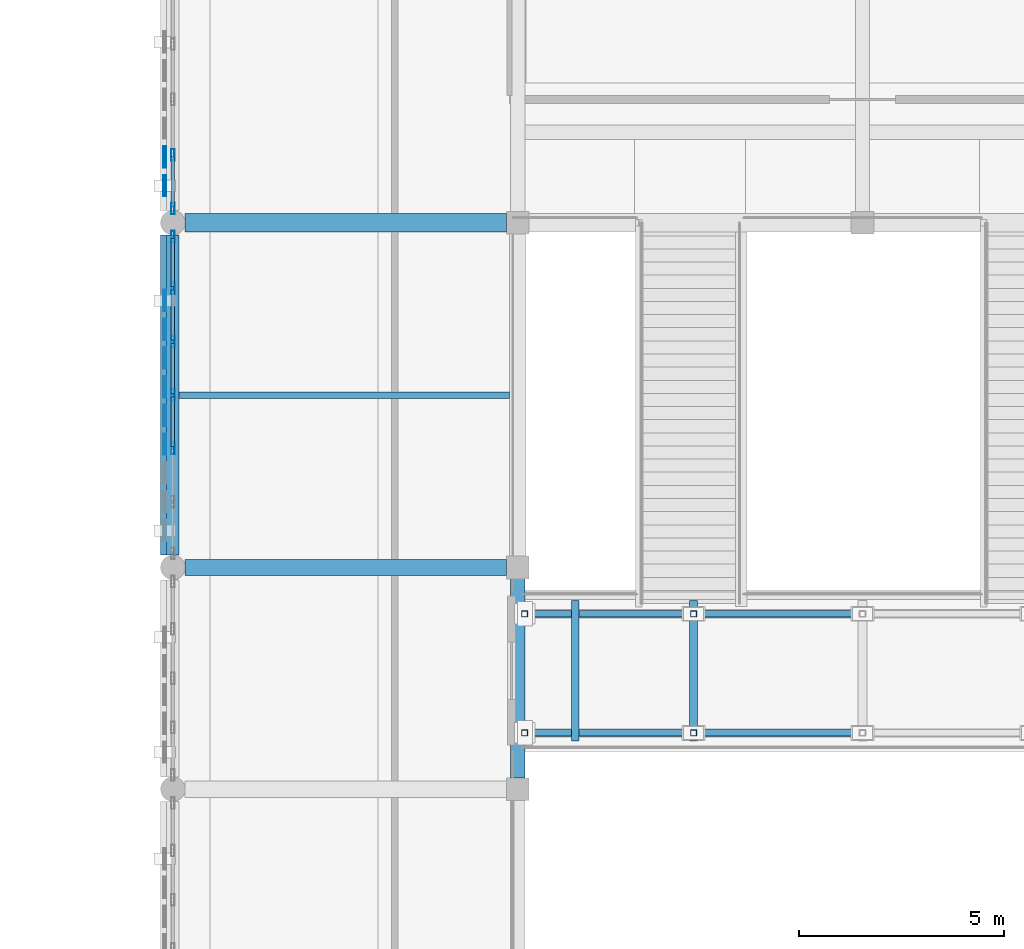
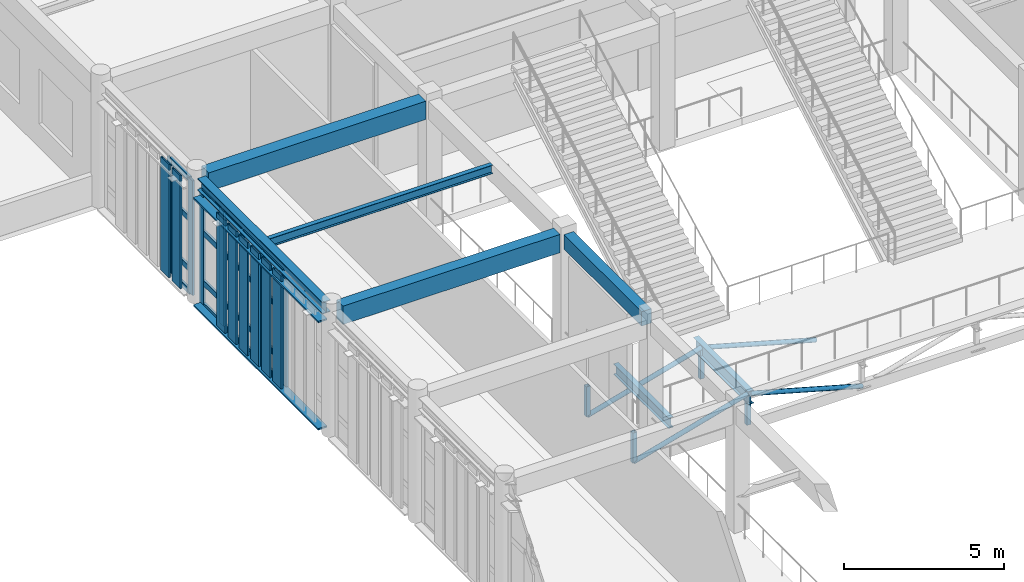
# One storey, part 32 of 93: 45 members, 7 beams, 2 elements without a shape of their own.
"""IFC4 building model written with IfcOpenShell, lengths in metres."""

from ifc_helpers import new_model, si_unit, direction, frame, origin, origin_2d, place, context, subcontext, project, spatial, rectangle, hollow_rectangle, hollow_circle, i_section, extrude, material, layer, layer_set, material_profile, profile_set, type_object, element, aggregate, save


model = new_model("IFC4")

# Units and contexts
model_context = context("Model", 3, precision=1e-05, world=origin(), true_north=direction((0.0, 1.0)))
body_context = subcontext(model_context, "Body", "Model", "MODEL_VIEW")
ifc_project = project(units=[si_unit("LENGTHUNIT", "METRE"), si_unit("AREAUNIT", "SQUARE_METRE"), si_unit("VOLUMEUNIT", "CUBIC_METRE"), si_unit("PLANEANGLEUNIT", "RADIAN"), si_unit("MASSUNIT", "GRAM", prefix="KILO")], contexts=[model_context])

# Site, building, storey
site_placement = place(None, origin())
site = spatial("IfcSite", under=ifc_project, at=site_placement, CompositionType="ELEMENT")
building_placement = place(site_placement, origin())
building = spatial("IfcBuilding", under=site, at=building_placement, Name="Krzemoval Escarpment Law Courts", CompositionType="ELEMENT")
storey_placement = place(building_placement, frame((0.0, 0.0, 10.199951171875)))
storey = spatial("IfcBuildingStorey", under=building, at=storey_placement, Name="L02", CompositionType="ELEMENT", Elevation=10.199951171875)

# Beams
ifc_material_1 = material(Name="Concrete C40/50", Category="concrete")
ifc_material_profile_1 = material_profile(ifc_material_1, rectangle(XDim=0.35009765625, YDim=0.550048828125, at=origin_2d()), Name="RCB 350x550")
ifc_profile_set_1 = profile_set([ifc_material_profile_1], Name="Concrete C40/50")
beam_type_1 = type_object("IfcBeamType", Name="BM-RC-350x550", PredefinedType="BEAM", material=ifc_profile_set_1)
beam_1_placement = place(storey_placement, frame((16.800048828125, 80.074951171875, 4.545166015625), z_axis=(0.0, 1.0, 0.0), x_axis=(-1.0, 0.0, 0.0)))
element("IfcBeam", 1, at=beam_1_placement, inside=storey, type_object=beam_type_1, Name="Beam FG-L02-1877", PredefinedType="BEAM", context=body_context, shape_type="SweptSolid", body=[
    extrude(rectangle(XDim=0.35009765625, YDim=0.550048828125, at=origin_2d()), origin(), (0.0, 0.0, 1.0), 4.85009765625),
])
ifc_material_2 = material(Name="Concrete C40/50", Category="concrete")
ifc_material_profile_2 = material_profile(ifc_material_2, rectangle(XDim=0.39990234375, YDim=0.699951171875, at=origin_2d()), Name="RCB 400x700")
ifc_profile_set_2 = profile_set([ifc_material_profile_2], Name="Concrete C40/50")
beam_type_2 = type_object("IfcBeamType", Name="BM-RC-400x700", PredefinedType="BEAM", material=ifc_profile_set_2)
beam_2_placement = place(storey_placement, frame((8.699951171875, 85.199951171875, 4.469970703125), z_axis=(1.0, 0.0, 0.0), x_axis=(0.0, 1.0, 0.0)))
element("IfcBeam", 2, at=beam_2_placement, inside=storey, type_object=beam_type_2, Name="Beam FG-L02-1804", PredefinedType="BEAM", context=body_context, shape_type="SweptSolid", body=[
    extrude(rectangle(XDim=0.39990234375, YDim=0.699951171875, at=origin_2d()), origin(), (0.0, 0.0, 1.0), 7.824951171875),
])
ifc_material_3 = material(Name="Concrete C40/50", Category="concrete")
ifc_material_profile_3 = material_profile(ifc_material_3, rectangle(XDim=0.449951171875, YDim=0.699951171875, at=origin_2d()), Name="RCB 450x700")
ifc_profile_set_3 = profile_set([ifc_material_profile_3], Name="Concrete C40/50")
beam_type_3 = type_object("IfcBeamType", Name="BM-RC-450x700", PredefinedType="BEAM", material=ifc_profile_set_3)
beam_3_placement = place(storey_placement, frame((8.699951171875, 93.60009765625, 4.469970703125), z_axis=(1.0, 0.0, 0.0), x_axis=(0.0, 1.0, 0.0)))
element("IfcBeam", 3, at=beam_3_placement, inside=storey, type_object=beam_type_3, Name="Beam FG-L02-1808", PredefinedType="BEAM", context=body_context, shape_type="SweptSolid", body=[
    extrude(rectangle(XDim=0.449951171875, YDim=0.699951171875, at=origin_2d()), origin(), (0.0, 0.0, 1.0), 7.824951171875),
])
ifc_material_4 = material(Name="Steel S355", Category="steel")
ifc_material_profile_4 = material_profile(ifc_material_4, i_section(OverallWidth=0.179931640625, OverallDepth=0.39990234375, WebThickness=0.008544921875, FlangeThickness=0.013427734375, at=origin_2d()), Name="IPE 400")
ifc_profile_set_4 = profile_set([ifc_material_profile_4], Name="Steel S355")
beam_type_4 = type_object("IfcBeamType", Name="BM-S355-IPE400", PredefinedType="BEAM", material=ifc_profile_set_4)
beam_4_placement = place(storey_placement, frame((18.199951171875, 80.969970703125, -0.5), z_axis=(0.0, 1.0, 0.0), x_axis=(-1.0, 0.0, 0.0)))
element("IfcBeam", 4, at=beam_4_placement, inside=storey, type_object=beam_type_4, Name="Bridge Cross Beam BBMN-L02-01", PredefinedType="BEAM", context=body_context, shape_type="SweptSolid", body=[
    extrude(i_section(OverallWidth=0.179931640625, OverallDepth=0.39990234375, WebThickness=0.008544921875, FlangeThickness=0.013427734375, at=origin_2d()), origin(), (0.0, 0.0, 1.0), 3.429931640625),
])
ifc_material_5 = material(Name="Steel S355", Category="steel")
ifc_material_profile_5 = material_profile(ifc_material_5, i_section(OverallWidth=0.199951171875, OverallDepth=0.5, WebThickness=0.01025390625, FlangeThickness=0.01611328125, at=origin_2d()), Name="IPE 500")
ifc_profile_set_5 = profile_set([ifc_material_profile_5], Name="Steel S355")
beam_type_5 = type_object("IfcBeamType", Name="BM-S355-IPE500", PredefinedType="BEAM", material=ifc_profile_set_5)
beam_5_placement = place(storey_placement, frame((21.0849609375, 80.969970703125, -0.550048828125), z_axis=(0.0, 1.0, 0.0), x_axis=(-1.0, 0.0, 0.0)))
element("IfcBeam", 5, at=beam_5_placement, inside=storey, type_object=beam_type_5, Name="Bridge Cross Beam BBMN-L02-02", PredefinedType="BEAM", context=body_context, shape_type="SweptSolid", body=[
    extrude(i_section(OverallWidth=0.199951171875, OverallDepth=0.5, WebThickness=0.01025390625, FlangeThickness=0.01611328125, at=origin_2d()), origin(), (0.0, 0.0, 1.0), 3.429931640625),
])

# Curtain wall, members
ifc_material_6 = material(Name="Aluminium 6063-T6", Category="aluminium")
ifc_layer = layer(ifc_material_6, 0.280029296875)
ifc_layer_set = layer_set([ifc_layer], Name="Aluminium 6063-T6")
curtain_wall_type = type_object("IfcCurtainWallType", Name="CW-HALL-5100", PredefinedType="USERDEFINED", material=ifc_layer_set)
curtain_wall_1_placement = place(storey_placement, origin())
curtain_wall_1 = element("IfcCurtainWall", 6, at=curtain_wall_1_placement, inside=storey, type_object=curtain_wall_type, Name="Unitised Curtain Wall FCW-L02-071", ObjectType="UNITISED_CURTAIN_WALL", PredefinedType="USERDEFINED")
ifc_material_7 = material(Name="Aluminium 6063-T6", Category="aluminium")
ifc_material_profile_6 = material_profile(ifc_material_7, hollow_rectangle(XDim=0.0849609375, YDim=0.280029296875, WallThickness=0.005615234375, at=origin_2d()), Name="ALU M85x280")
ifc_profile_set_6 = profile_set([ifc_material_profile_6], Name="Aluminium 6063-T6")
member_type_1 = type_object("IfcMemberType", Name="CWM-85x280", PredefinedType="MULLION", material=ifc_profile_set_6)
member_1_placement = place(storey_placement, frame((8.39990234375, 88.10009765625, 0.0), z_axis=(0.0, 0.0, 1.0), x_axis=(-1.0, 0.0, 0.0)))
member_1 = element("IfcMember", 7, at=member_1_placement, type_object=member_type_1, Name="FCW-L02-071 mullion 3", PredefinedType="MULLION", context=body_context, shape_type="SweptSolid", body=[
    extrude(hollow_rectangle(XDim=0.0849609375, YDim=0.280029296875, WallThickness=0.005615234375, at=origin_2d()), origin(), (0.0, 0.0, 1.0), 4.3701171875),
])
member_2_placement = place(storey_placement, frame((8.39990234375, 89.39990234375, 0.0), z_axis=(0.0, 0.0, 1.0), x_axis=(-1.0, 0.0, 0.0)))
member_2 = element("IfcMember", 8, at=member_2_placement, type_object=member_type_1, Name="FCW-L02-071 mullion 4", PredefinedType="MULLION", context=body_context, shape_type="SweptSolid", body=[
    extrude(hollow_rectangle(XDim=0.0849609375, YDim=0.280029296875, WallThickness=0.005615234375, at=origin_2d()), origin(), (0.0, 0.0, 1.0), 4.3701171875),
])
member_3_placement = place(storey_placement, frame((8.39990234375, 90.699951171875, 0.0), z_axis=(0.0, 0.0, 1.0), x_axis=(-1.0, 0.0, 0.0)))
member_3 = element("IfcMember", 9, at=member_3_placement, type_object=member_type_1, Name="FCW-L02-071 mullion 5", PredefinedType="MULLION", context=body_context, shape_type="SweptSolid", body=[
    extrude(hollow_rectangle(XDim=0.0849609375, YDim=0.280029296875, WallThickness=0.005615234375, at=origin_2d()), origin(), (0.0, 0.0, 1.0), 4.3701171875),
])
member_4_placement = place(storey_placement, frame((8.39990234375, 92.0, 0.0), z_axis=(0.0, 0.0, 1.0), x_axis=(-1.0, 0.0, 0.0)))
member_4 = element("IfcMember", 10, at=member_4_placement, type_object=member_type_1, Name="FCW-L02-071 mullion 6", PredefinedType="MULLION", context=body_context, shape_type="SweptSolid", body=[
    extrude(hollow_rectangle(XDim=0.0849609375, YDim=0.280029296875, WallThickness=0.005615234375, at=origin_2d()), origin(), (0.0, 0.0, 1.0), 4.3701171875),
])
member_5_placement = place(storey_placement, frame((8.39990234375, 93.257568359375, 0.0), z_axis=(0.0, 0.0, 1.0), x_axis=(-1.0, 0.0, 0.0)))
member_5 = element("IfcMember", 11, at=member_5_placement, type_object=member_type_1, Name="FCW-L02-071 mullion 7", PredefinedType="MULLION", context=body_context, shape_type="SweptSolid", body=[
    extrude(hollow_rectangle(XDim=0.0849609375, YDim=0.280029296875, WallThickness=0.005615234375, at=origin_2d()), origin(), (0.0, 0.0, 1.0), 4.3701171875),
])

curtain_wall_2_placement = place(storey_placement, origin())
curtain_wall_2 = element("IfcCurtainWall", 12, at=curtain_wall_2_placement, inside=storey, type_object=curtain_wall_type, Name="Unitised Curtain Wall FCW-L02-072", ObjectType="UNITISED_CURTAIN_WALL", PredefinedType="USERDEFINED")
member_6_placement = place(storey_placement, frame((8.39990234375, 93.9423828125, 0.0), z_axis=(0.0, 0.0, 1.0), x_axis=(-1.0, 0.0, 0.0)))
member_6 = element("IfcMember", 13, at=member_6_placement, type_object=member_type_1, Name="FCW-L02-072 mullion 1", PredefinedType="MULLION", context=body_context, shape_type="SweptSolid", body=[
    extrude(hollow_rectangle(XDim=0.0849609375, YDim=0.280029296875, WallThickness=0.005615234375, at=origin_2d()), origin(), (0.0, 0.0, 1.0), 4.3701171875),
])
member_7_placement = place(storey_placement, frame((8.39990234375, 95.25, 0.0), z_axis=(0.0, 0.0, 1.0), x_axis=(-1.0, 0.0, 0.0)))
member_7 = element("IfcMember", 14, at=member_7_placement, type_object=member_type_1, Name="FCW-L02-072 mullion 2", PredefinedType="MULLION", context=body_context, shape_type="SweptSolid", body=[
    extrude(hollow_rectangle(XDim=0.0849609375, YDim=0.280029296875, WallThickness=0.005615234375, at=origin_2d()), origin(), (0.0, 0.0, 1.0), 4.3701171875),
])

# Member
ifc_material_8 = material(Name="Aluminium 6063-T6", Category="aluminium")
ifc_material_profile_7 = material_profile(ifc_material_8, hollow_rectangle(XDim=0.0849609375, YDim=0.2099609375, WallThickness=0.005615234375, at=origin_2d()), Name="ALU T85x210")
ifc_profile_set_7 = profile_set([ifc_material_profile_7], Name="Aluminium 6063-T6")
member_type_2 = type_object("IfcMemberType", Name="CWT-85x210", PredefinedType="USERDEFINED", material=ifc_profile_set_7)
member_8_placement = place(storey_placement, frame((8.39990234375, 88.142578125, 0.04248046875), z_axis=(0.0, 1.0, 0.0), x_axis=(-1.0, 0.0, 0.0)))
member_8 = element("IfcMember", 15, at=member_8_placement, type_object=member_type_2, Name="FCW-L02-071 transom 3.1", ObjectType="TRANSOM", PredefinedType="USERDEFINED", context=body_context, shape_type="SweptSolid", body=[
    extrude(hollow_rectangle(XDim=0.0849609375, YDim=0.2099609375, WallThickness=0.005615234375, at=origin_2d()), origin(), (0.0, 0.0, 1.0), 1.21484375),
])

member_9_placement = place(storey_placement, frame((8.39990234375, 88.142578125, 0.900146484375), z_axis=(0.0, 1.0, 0.0), x_axis=(-1.0, 0.0, 0.0)))
member_9 = element("IfcMember", 16, at=member_9_placement, type_object=member_type_2, Name="FCW-L02-071 transom 3.2", ObjectType="TRANSOM", PredefinedType="USERDEFINED", context=body_context, shape_type="SweptSolid", body=[
    extrude(hollow_rectangle(XDim=0.0849609375, YDim=0.2099609375, WallThickness=0.005615234375, at=origin_2d()), origin(), (0.0, 0.0, 1.0), 1.21484375),
])

member_10_placement = place(storey_placement, frame((8.39990234375, 88.142578125, 2.800048828125), z_axis=(0.0, 1.0, 0.0), x_axis=(-1.0, 0.0, 0.0)))
member_10 = element("IfcMember", 17, at=member_10_placement, type_object=member_type_2, Name="FCW-L02-071 transom 3.3", ObjectType="TRANSOM", PredefinedType="USERDEFINED", context=body_context, shape_type="SweptSolid", body=[
    extrude(hollow_rectangle(XDim=0.0849609375, YDim=0.2099609375, WallThickness=0.005615234375, at=origin_2d()), origin(), (0.0, 0.0, 1.0), 1.21484375),
])

member_11_placement = place(storey_placement, frame((8.39990234375, 88.142578125, 4.32763671875), z_axis=(0.0, 1.0, 0.0), x_axis=(-1.0, 0.0, 0.0)))
member_11 = element("IfcMember", 18, at=member_11_placement, type_object=member_type_2, Name="FCW-L02-071 transom 3.4", ObjectType="TRANSOM", PredefinedType="USERDEFINED", context=body_context, shape_type="SweptSolid", body=[
    extrude(hollow_rectangle(XDim=0.0849609375, YDim=0.2099609375, WallThickness=0.005615234375, at=origin_2d()), origin(), (0.0, 0.0, 1.0), 1.21484375),
])

member_12_placement = place(storey_placement, frame((8.39990234375, 89.4423828125, 0.04248046875), z_axis=(0.0, 1.0, 0.0), x_axis=(-1.0, 0.0, 0.0)))
member_12 = element("IfcMember", 19, at=member_12_placement, type_object=member_type_2, Name="FCW-L02-071 transom 4.1", ObjectType="TRANSOM", PredefinedType="USERDEFINED", context=body_context, shape_type="SweptSolid", body=[
    extrude(hollow_rectangle(XDim=0.0849609375, YDim=0.2099609375, WallThickness=0.005615234375, at=origin_2d()), origin(), (0.0, 0.0, 1.0), 1.215087890625),
])

member_13_placement = place(storey_placement, frame((8.39990234375, 89.4423828125, 0.900146484375), z_axis=(0.0, 1.0, 0.0), x_axis=(-1.0, 0.0, 0.0)))
member_13 = element("IfcMember", 20, at=member_13_placement, type_object=member_type_2, Name="FCW-L02-071 transom 4.2", ObjectType="TRANSOM", PredefinedType="USERDEFINED", context=body_context, shape_type="SweptSolid", body=[
    extrude(hollow_rectangle(XDim=0.0849609375, YDim=0.2099609375, WallThickness=0.005615234375, at=origin_2d()), origin(), (0.0, 0.0, 1.0), 1.215087890625),
])

member_14_placement = place(storey_placement, frame((8.39990234375, 89.4423828125, 2.800048828125), z_axis=(0.0, 1.0, 0.0), x_axis=(-1.0, 0.0, 0.0)))
member_14 = element("IfcMember", 21, at=member_14_placement, type_object=member_type_2, Name="FCW-L02-071 transom 4.3", ObjectType="TRANSOM", PredefinedType="USERDEFINED", context=body_context, shape_type="SweptSolid", body=[
    extrude(hollow_rectangle(XDim=0.0849609375, YDim=0.2099609375, WallThickness=0.005615234375, at=origin_2d()), origin(), (0.0, 0.0, 1.0), 1.215087890625),
])

member_15_placement = place(storey_placement, frame((8.39990234375, 89.4423828125, 4.32763671875), z_axis=(0.0, 1.0, 0.0), x_axis=(-1.0, 0.0, 0.0)))
member_15 = element("IfcMember", 22, at=member_15_placement, type_object=member_type_2, Name="FCW-L02-071 transom 4.4", ObjectType="TRANSOM", PredefinedType="USERDEFINED", context=body_context, shape_type="SweptSolid", body=[
    extrude(hollow_rectangle(XDim=0.0849609375, YDim=0.2099609375, WallThickness=0.005615234375, at=origin_2d()), origin(), (0.0, 0.0, 1.0), 1.215087890625),
])

member_16_placement = place(storey_placement, frame((8.39990234375, 90.742431640625, 0.04248046875), z_axis=(0.0, 1.0, 0.0), x_axis=(-1.0, 0.0, 0.0)))
member_16 = element("IfcMember", 23, at=member_16_placement, type_object=member_type_2, Name="FCW-L02-071 transom 5.1", ObjectType="TRANSOM", PredefinedType="USERDEFINED", context=body_context, shape_type="SweptSolid", body=[
    extrude(hollow_rectangle(XDim=0.0849609375, YDim=0.2099609375, WallThickness=0.005615234375, at=origin_2d()), origin(), (0.0, 0.0, 1.0), 1.215087890625),
])

member_17_placement = place(storey_placement, frame((8.39990234375, 90.742431640625, 0.900146484375), z_axis=(0.0, 1.0, 0.0), x_axis=(-1.0, 0.0, 0.0)))
member_17 = element("IfcMember", 24, at=member_17_placement, type_object=member_type_2, Name="FCW-L02-071 transom 5.2", ObjectType="TRANSOM", PredefinedType="USERDEFINED", context=body_context, shape_type="SweptSolid", body=[
    extrude(hollow_rectangle(XDim=0.0849609375, YDim=0.2099609375, WallThickness=0.005615234375, at=origin_2d()), origin(), (0.0, 0.0, 1.0), 1.215087890625),
])

member_18_placement = place(storey_placement, frame((8.39990234375, 90.742431640625, 2.800048828125), z_axis=(0.0, 1.0, 0.0), x_axis=(-1.0, 0.0, 0.0)))
member_18 = element("IfcMember", 25, at=member_18_placement, type_object=member_type_2, Name="FCW-L02-071 transom 5.3", ObjectType="TRANSOM", PredefinedType="USERDEFINED", context=body_context, shape_type="SweptSolid", body=[
    extrude(hollow_rectangle(XDim=0.0849609375, YDim=0.2099609375, WallThickness=0.005615234375, at=origin_2d()), origin(), (0.0, 0.0, 1.0), 1.215087890625),
])

member_19_placement = place(storey_placement, frame((8.39990234375, 90.742431640625, 4.32763671875), z_axis=(0.0, 1.0, 0.0), x_axis=(-1.0, 0.0, 0.0)))
member_19 = element("IfcMember", 26, at=member_19_placement, type_object=member_type_2, Name="FCW-L02-071 transom 5.4", ObjectType="TRANSOM", PredefinedType="USERDEFINED", context=body_context, shape_type="SweptSolid", body=[
    extrude(hollow_rectangle(XDim=0.0849609375, YDim=0.2099609375, WallThickness=0.005615234375, at=origin_2d()), origin(), (0.0, 0.0, 1.0), 1.215087890625),
])

member_20_placement = place(storey_placement, frame((8.39990234375, 92.04248046875, 0.04248046875), z_axis=(0.0, 1.0, 0.0), x_axis=(-1.0, 0.0, 0.0)))
member_20 = element("IfcMember", 27, at=member_20_placement, type_object=member_type_2, Name="FCW-L02-071 transom 6.1", ObjectType="TRANSOM", PredefinedType="USERDEFINED", context=body_context, shape_type="SweptSolid", body=[
    extrude(hollow_rectangle(XDim=0.0849609375, YDim=0.2099609375, WallThickness=0.005615234375, at=origin_2d()), origin(), (0.0, 0.0, 1.0), 1.172607421875),
])

member_21_placement = place(storey_placement, frame((8.39990234375, 92.04248046875, 0.900146484375), z_axis=(0.0, 1.0, 0.0), x_axis=(-1.0, 0.0, 0.0)))
member_21 = element("IfcMember", 28, at=member_21_placement, type_object=member_type_2, Name="FCW-L02-071 transom 6.2", ObjectType="TRANSOM", PredefinedType="USERDEFINED", context=body_context, shape_type="SweptSolid", body=[
    extrude(hollow_rectangle(XDim=0.0849609375, YDim=0.2099609375, WallThickness=0.005615234375, at=origin_2d()), origin(), (0.0, 0.0, 1.0), 1.172607421875),
])

member_22_placement = place(storey_placement, frame((8.39990234375, 92.04248046875, 2.800048828125), z_axis=(0.0, 1.0, 0.0), x_axis=(-1.0, 0.0, 0.0)))
member_22 = element("IfcMember", 29, at=member_22_placement, type_object=member_type_2, Name="FCW-L02-071 transom 6.3", ObjectType="TRANSOM", PredefinedType="USERDEFINED", context=body_context, shape_type="SweptSolid", body=[
    extrude(hollow_rectangle(XDim=0.0849609375, YDim=0.2099609375, WallThickness=0.005615234375, at=origin_2d()), origin(), (0.0, 0.0, 1.0), 1.172607421875),
])

member_23_placement = place(storey_placement, frame((8.39990234375, 92.04248046875, 4.32763671875), z_axis=(0.0, 1.0, 0.0), x_axis=(-1.0, 0.0, 0.0)))
member_23 = element("IfcMember", 30, at=member_23_placement, type_object=member_type_2, Name="FCW-L02-071 transom 6.4", ObjectType="TRANSOM", PredefinedType="USERDEFINED", context=body_context, shape_type="SweptSolid", body=[
    extrude(hollow_rectangle(XDim=0.0849609375, YDim=0.2099609375, WallThickness=0.005615234375, at=origin_2d()), origin(), (0.0, 0.0, 1.0), 1.172607421875),
])

aggregate(curtain_wall_1, [member_1, member_2, member_3, member_4, member_5, member_8, member_9, member_10, member_11, member_12, member_13, member_14, member_15, member_16, member_17, member_18, member_19, member_20, member_21, member_22, member_23])

member_24_placement = place(storey_placement, frame((8.39990234375, 93.985107421875, 0.04248046875), z_axis=(0.0, 1.0, 0.0), x_axis=(-1.0, 0.0, 0.0)))
member_24 = element("IfcMember", 31, at=member_24_placement, type_object=member_type_2, Name="FCW-L02-072 transom 1.1", ObjectType="TRANSOM", PredefinedType="USERDEFINED", context=body_context, shape_type="SweptSolid", body=[
    extrude(hollow_rectangle(XDim=0.0849609375, YDim=0.2099609375, WallThickness=0.005615234375, at=origin_2d()), origin(), (0.0, 0.0, 1.0), 1.222412109375),
])

member_25_placement = place(storey_placement, frame((8.39990234375, 93.985107421875, 0.900146484375), z_axis=(0.0, 1.0, 0.0), x_axis=(-1.0, 0.0, 0.0)))
member_25 = element("IfcMember", 32, at=member_25_placement, type_object=member_type_2, Name="FCW-L02-072 transom 1.2", ObjectType="TRANSOM", PredefinedType="USERDEFINED", context=body_context, shape_type="SweptSolid", body=[
    extrude(hollow_rectangle(XDim=0.0849609375, YDim=0.2099609375, WallThickness=0.005615234375, at=origin_2d()), origin(), (0.0, 0.0, 1.0), 1.222412109375),
])

member_26_placement = place(storey_placement, frame((8.39990234375, 93.985107421875, 2.800048828125), z_axis=(0.0, 1.0, 0.0), x_axis=(-1.0, 0.0, 0.0)))
member_26 = element("IfcMember", 33, at=member_26_placement, type_object=member_type_2, Name="FCW-L02-072 transom 1.3", ObjectType="TRANSOM", PredefinedType="USERDEFINED", context=body_context, shape_type="SweptSolid", body=[
    extrude(hollow_rectangle(XDim=0.0849609375, YDim=0.2099609375, WallThickness=0.005615234375, at=origin_2d()), origin(), (0.0, 0.0, 1.0), 1.222412109375),
])

member_27_placement = place(storey_placement, frame((8.39990234375, 93.985107421875, 4.32763671875), z_axis=(0.0, 1.0, 0.0), x_axis=(-1.0, 0.0, 0.0)))
member_27 = element("IfcMember", 34, at=member_27_placement, type_object=member_type_2, Name="FCW-L02-072 transom 1.4", ObjectType="TRANSOM", PredefinedType="USERDEFINED", context=body_context, shape_type="SweptSolid", body=[
    extrude(hollow_rectangle(XDim=0.0849609375, YDim=0.2099609375, WallThickness=0.005615234375, at=origin_2d()), origin(), (0.0, 0.0, 1.0), 1.222412109375),
])

aggregate(curtain_wall_2, [member_6, member_7, member_24, member_25, member_26, member_27])

# Beam
ifc_material_9 = material(Name="Steel S355", Category="steel")
ifc_material_profile_8 = material_profile(ifc_material_9, i_section(OverallWidth=0.159912109375, OverallDepth=0.330078125, WebThickness=0.007568359375, FlangeThickness=0.011474609375, at=origin_2d()), Name="IPE 330")
ifc_profile_set_8 = profile_set([ifc_material_profile_8], Name="Steel S355")
beam_type_6 = type_object("IfcBeamType", Name="JST-S355-IPE330", PredefinedType="JOIST", material=ifc_profile_set_8)
beam_6_placement = place(storey_placement, frame((8.550048828125, 89.39990234375, 4.655029296875), z_axis=(1.0, 0.0, 0.0), x_axis=(0.0, 1.0, 0.0)))
element("IfcBeam", 35, at=beam_6_placement, inside=storey, type_object=beam_type_6, Name="Secondary Joist FJ-L02-2016", PredefinedType="JOIST", context=body_context, shape_type="SweptSolid", body=[
    extrude(i_section(OverallWidth=0.159912109375, OverallDepth=0.330078125, WebThickness=0.007568359375, FlangeThickness=0.011474609375, at=origin_2d()), origin(), (0.0, 0.0, 1.0), 8.050048828125),
])

# Members
ifc_material_10 = material(Name="Anodised Aluminium Alloy 6063-T6", Category="aluminium")
ifc_material_profile_9 = material_profile(ifc_material_10, hollow_rectangle(XDim=0.06005859375, YDim=0.320068359375, WallThickness=0.00390625, at=origin_2d()), Name="ALU LVR 60x320")
ifc_profile_set_9 = profile_set([ifc_material_profile_9], Name="Anodised Aluminium Alloy 6063-T6")
member_type_3 = type_object("IfcMemberType", Name="LVR-ALU-320", PredefinedType="USERDEFINED", material=ifc_profile_set_9)
for number, where, z_axis, x_axis, name in (
    (36, (8.260009765625, 85.5, 0.030029296875), (0.0, 1.0, 0.0), (0.0, 0.0, 1.0), "Sunshade Support Rail FSR-L02-0432"),
    (37, (8.260009765625, 85.5, 4.1201171875), (0.0, 1.0, 0.0), (0.0, 0.0, 1.0), "Sunshade Support Rail FSR-L02-0433"),
):
    element("IfcMember", number, at=place(storey_placement, frame(where, z_axis=z_axis, x_axis=x_axis)), inside=storey, type_object=member_type_3, Name=name, ObjectType="SUNSHADE_LOUVRE", PredefinedType="USERDEFINED", context=body_context, shape_type="SweptSolid", body=[
        extrude(hollow_rectangle(XDim=0.06005859375, YDim=0.320068359375, WallThickness=0.00390625, at=origin_2d()), origin(), (0.0, 0.0, 1.0), 7.800048828125),
    ])
ifc_material_11 = material(Name="Anodised Aluminium Alloy 6063-T6", Category="aluminium")
ifc_material_profile_10 = material_profile(ifc_material_11, hollow_rectangle(XDim=0.06494140625, YDim=0.52001953125, WallThickness=0.00439453125, at=origin_2d()), Name="ALU LVR 65x520")
ifc_profile_set_10 = profile_set([ifc_material_profile_10], Name="Anodised Aluminium Alloy 6063-T6")
member_type_4 = type_object("IfcMemberType", Name="LVR-ALU-520", PredefinedType="USERDEFINED", material=ifc_profile_set_10)
for number, where, z_axis, x_axis, name in (
    (38, (8.199951171875, 88.199951171875, 0.06005859375), (0.0, 0.0, 1.0), (1.0, 0.0, 0.0), "Sunshade Louvre Fin FLV-L02-0437"),
    (39, (8.199951171875, 88.89990234375, 0.06005859375), (0.0, 0.0, 1.0), (1.0, 0.0, 0.0), "Sunshade Louvre Fin FLV-L02-0438"),
    (40, (8.199951171875, 89.60009765625, 0.06005859375), (0.0, 0.0, 1.0), (1.0, 0.0, 0.0), "Sunshade Louvre Fin FLV-L02-0439"),
    (41, (8.199951171875, 90.300048828125, 0.06005859375), (0.0, 0.0, 1.0), (1.0, 0.0, 0.0), "Sunshade Louvre Fin FLV-L02-0440"),
    (42, (8.199951171875, 91.0, 0.06005859375), (0.0, 0.0, 1.0), (1.0, 0.0, 0.0), "Sunshade Louvre Fin FLV-L02-0441"),
    (43, (8.199951171875, 91.699951171875, 0.06005859375), (0.0, 0.0, 1.0), (1.0, 0.0, 0.0), "Sunshade Louvre Fin FLV-L02-0442"),
    (44, (8.199951171875, 94.5, 0.06005859375), (0.0, 0.0, 1.0), (1.0, 0.0, 0.0), "Sunshade Louvre Fin FLV-L02-0445"),
    (45, (8.199951171875, 95.199951171875, 0.06005859375), (0.0, 0.0, 1.0), (1.0, 0.0, 0.0), "Sunshade Louvre Fin FLV-L02-0446"),
):
    element("IfcMember", number, at=place(storey_placement, frame(where, z_axis=z_axis, x_axis=x_axis)), inside=storey, type_object=member_type_4, Name=name, ObjectType="SUNSHADE_LOUVRE", PredefinedType="USERDEFINED", context=body_context, shape_type="SweptSolid", body=[
        extrude(hollow_rectangle(XDim=0.06494140625, YDim=0.52001953125, WallThickness=0.00439453125, at=origin_2d()), origin(), (0.0, 0.0, 1.0), 4.31005859375),
    ])
ifc_material_12 = material(Name="Steel S355", Category="steel")
ifc_material_profile_11 = material_profile(ifc_material_12, hollow_circle(Radius=0.084228515625, WallThickness=0.008056640625, at=origin_2d()), Name="CHS 168.3x8")
ifc_profile_set_11 = profile_set([ifc_material_profile_11], Name="Steel S355")
member_type_5 = type_object("IfcMemberType", Name="MBR-BRC-CHS168", PredefinedType="BRACE", material=ifc_profile_set_11)
for number, where, z_axis, x_axis, name in (
    (46, (16.969970703125, 81.169921875, -1.669921875), (0.963103351061, 0.0, 0.269131817472), (0.0, 1.0, 0.0), "Bridge Truss Diagonal BBR-0185"),
    (47, (21.0849609375, 81.169921875, -0.52001953125), (0.963103351061, 0.0, -0.269131817472), (0.0, 1.0, 0.0), "Bridge Truss Diagonal BBR-0186"),
    (48, (16.969970703125, 84.070068359375, -1.669921875), (0.963103351061, 0.0, 0.269131817472), (0.0, 1.0, 0.0), "Bridge Truss Diagonal BBR-0196"),
    (49, (21.0849609375, 84.070068359375, -0.52001953125), (0.963103351061, 0.0, -0.269131817472), (0.0, 1.0, 0.0), "Bridge Truss Diagonal BBR-0197"),
):
    element("IfcMember", number, at=place(storey_placement, frame(where, z_axis=z_axis, x_axis=x_axis)), inside=storey, type_object=member_type_5, Name=name, PredefinedType="BRACE", context=body_context, shape_type="SweptSolid", body=[
        extrude(hollow_circle(Radius=0.084228515625, WallThickness=0.008056640625, at=origin_2d()), origin(), (0.0, 0.0, 1.0), 4.272705078125),
    ])
ifc_material_13 = material(Name="Steel S355", Category="steel")
ifc_material_profile_12 = material_profile(ifc_material_13, hollow_rectangle(XDim=0.14990234375, YDim=0.14990234375, WallThickness=0.008056640625, at=origin_2d()), Name="SHS 150x150x8")
ifc_profile_set_12 = profile_set([ifc_material_profile_12], Name="Steel S355")
member_type_6 = type_object("IfcMemberType", Name="MBR-STR-SHS150", PredefinedType="STRUT", material=ifc_profile_set_12)
for number, where, z_axis, x_axis, name in (
    (50, (16.969970703125, 81.169921875, -1.669921875), (0.0, 0.0, 1.0), (1.0, 0.0, 0.0), "Bridge Truss Strut BST-0189"),
    (51, (21.0849609375, 81.169921875, -1.669921875), (0.0, 0.0, 1.0), (1.0, 0.0, 0.0), "Bridge Truss Strut BST-0190"),
    (52, (16.969970703125, 84.070068359375, -1.669921875), (0.0, 0.0, 1.0), (1.0, 0.0, 0.0), "Bridge Truss Strut BST-0200"),
    (53, (21.0849609375, 84.070068359375, -1.669921875), (0.0, 0.0, 1.0), (1.0, 0.0, 0.0), "Bridge Truss Strut BST-0201"),
):
    element("IfcMember", number, at=place(storey_placement, frame(where, z_axis=z_axis, x_axis=x_axis)), inside=storey, type_object=member_type_6, Name=name, PredefinedType="STRUT", context=body_context, shape_type="SweptSolid", body=[
        extrude(hollow_rectangle(XDim=0.14990234375, YDim=0.14990234375, WallThickness=0.008056640625, at=origin_2d()), origin(), (0.0, 0.0, 1.0), 1.14990234375),
    ])

# Beam
ifc_material_14 = material(Name="Steel S355", Category="steel")
ifc_material_profile_13 = material_profile(ifc_material_14, i_section(OverallWidth=0.300048828125, OverallDepth=0.449951171875, WebThickness=0.013916015625, FlangeThickness=0.02587890625, at=origin_2d()), Name="HEB 450")
ifc_profile_set_13 = profile_set([ifc_material_profile_13], Name="Steel S355")
beam_type_7 = type_object("IfcBeamType", Name="SPN-S355-HEB450", PredefinedType="SPANDREL", material=ifc_profile_set_13)
beam_7_placement = place(storey_placement, frame((8.39990234375, 85.5, 4.594970703125), z_axis=(0.0, 1.0, 0.0), x_axis=(-1.0, 0.0, 0.0)))
element("IfcBeam", 54, at=beam_7_placement, inside=storey, type_object=beam_type_7, Name="Beam FG-L02-1867", PredefinedType="SPANDREL", context=body_context, shape_type="SweptSolid", body=[
    extrude(i_section(OverallWidth=0.300048828125, OverallDepth=0.449951171875, WebThickness=0.013916015625, FlangeThickness=0.02587890625, at=origin_2d()), origin(), (0.0, 0.0, 1.0), 7.800048828125),
])

save(model, "model.ifc")
